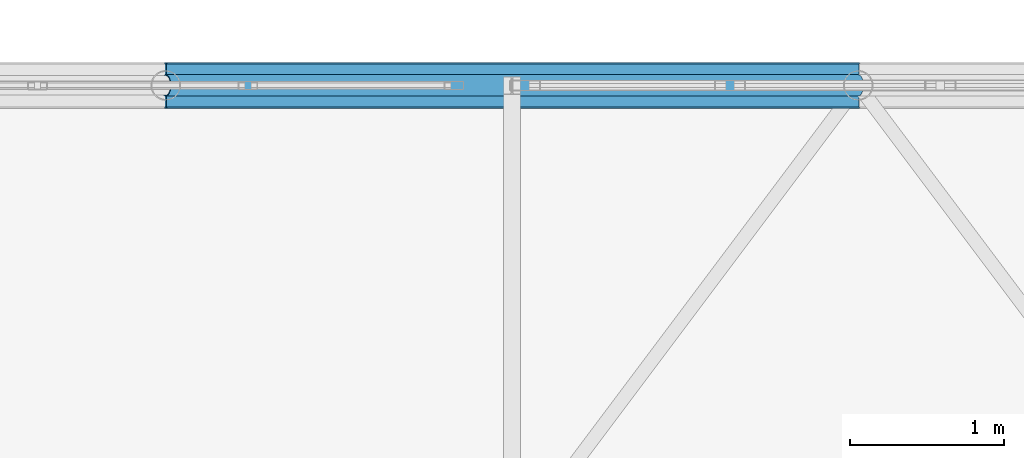
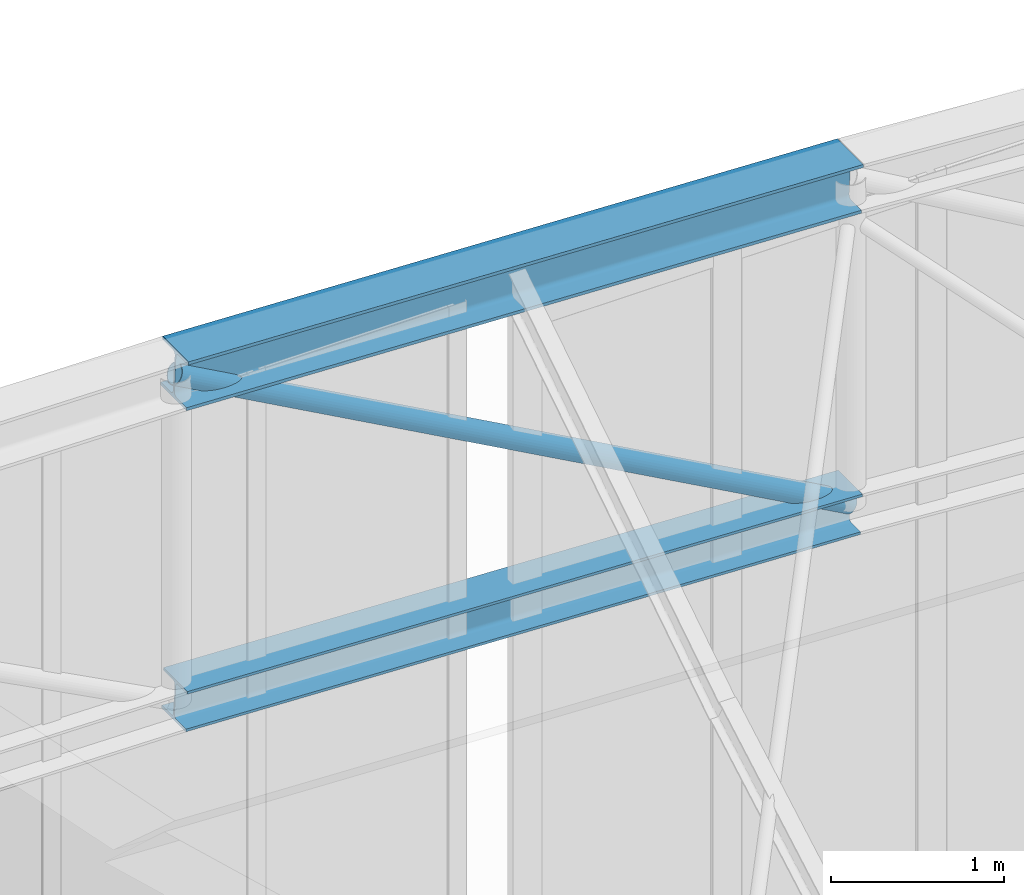
# One storey, part 197 of 262: 3 members.
"""IFC4 building model written with IfcOpenShell, lengths in metres."""

import ifcopenshell
import ifcopenshell.guid

model = None  # the IFC model being written
_history = None  # IfcOwnerHistory: only IFC2X3 demands one
_inside = {}  # id of a spatial element -> (the spatial element, [elements in it])
_under = {}  # id of a project, library or spatial element -> (it, [spatial elements below it])
_declared = {}  # id of a project -> (the project, [libraries it declares])
_typed = {}  # id of a type object -> (the type object, [elements of that type])
_made_of = {}  # id of a material, layer set ... -> (it, [elements and type objects made of it])


def new_model(schema):
    """Start an empty IFC model of exactly this schema.

    Asked for "IFC4X3", IfcOpenShell would pick the latest addendum, in which some entities
    have other attributes; the version numbers below select the first issue.
    IFC2X3 requires an IfcOwnerHistory on every rooted entity: one is made here for all.
    """
    global model, _history
    if schema == "IFC4X3":
        model = ifcopenshell.file(schema_version=(4, 3, 0, 0))
    else:
        model = ifcopenshell.file(schema=schema)
    _inside.clear()
    _under.clear()
    _declared.clear()
    _typed.clear()
    _made_of.clear()
    _history = None
    if model.schema == "IFC2X3":
        org = make("IfcOrganization", Name="unknown")
        user = make(
            "IfcPersonAndOrganization",
            ThePerson=make("IfcPerson", FamilyName="unknown"),
            TheOrganization=org,
        )
        app = make(
            "IfcApplication",
            ApplicationDeveloper=org,
            Version="unknown",
            ApplicationFullName="unknown",
            ApplicationIdentifier="unknown",
        )
        _history = make(
            "IfcOwnerHistory",
            OwningUser=user,
            OwningApplication=app,
            ChangeAction="ADDED",
            CreationDate=0,
        )
    return model


def make(cls, **values):
    """One entity of the class cls with the attributes given. An attribute that is None is left unset."""
    return model.create_entity(
        cls, **{name: value for name, value in values.items() if value is not None}
    )


def rooted(cls, **values):
    """An entity with a GlobalId (a new one), such as an element, a storey or a relation."""
    return make(cls, GlobalId=ifcopenshell.guid.new(), OwnerHistory=_history, **values)


def si_unit(unit_type, name, prefix=None):
    """IfcSIUnit, for example si_unit("LENGTHUNIT", "METRE", prefix="MILLI")."""
    return make("IfcSIUnit", UnitType=unit_type, Prefix=prefix, Name=name)


def derived_unit(unit_type, elements):
    """IfcDerivedUnit: a product of units, each with its exponent."""
    return make(
        "IfcDerivedUnit",
        Elements=[
            make("IfcDerivedUnitElement", Unit=unit, Exponent=power)
            for unit, power in elements
        ],
        UnitType=unit_type,
    )


def assignment(units):
    """IfcUnitAssignment: the units of a project."""
    return None if units is None else make("IfcUnitAssignment", Units=units)


def point(xyz):
    """IfcCartesianPoint."""
    return None if xyz is None else make("IfcCartesianPoint", Coordinates=xyz)


def direction(xyz):
    """IfcDirection."""
    return None if xyz is None else make("IfcDirection", DirectionRatios=xyz)


def frame(location, z_axis=None, x_axis=None):
    """IfcAxis2Placement3D, a coordinate frame: its origin and axes. An axis left out is left unset."""
    return make(
        "IfcAxis2Placement3D",
        Location=point(location),
        Axis=direction(z_axis),
        RefDirection=direction(x_axis),
    )


def frame_2d(location, x_axis=None):
    """IfcAxis2Placement2D, a coordinate frame in the plane: its origin and x axis."""
    return make(
        "IfcAxis2Placement2D", Location=point(location), RefDirection=direction(x_axis)
    )


def origin():
    """The frame at (0, 0, 0) with its axes left unset."""
    return frame((0.0, 0.0, 0.0))


def origin_2d():
    """The frame at (0, 0) in the plane with its x axis left unset."""
    return frame_2d((0.0, 0.0))


def place(relative_to, where):
    """IfcLocalPlacement: puts the frame where relative to a parent placement (None: the world)."""
    return make(
        "IfcLocalPlacement", PlacementRelTo=relative_to, RelativePlacement=where
    )


def context(
    kind, dimensions, precision=None, world=None, true_north=None, identifier=None
):
    """IfcGeometricRepresentationContext, for example the 3D "Model" context."""
    return make(
        "IfcGeometricRepresentationContext",
        ContextIdentifier=identifier,
        ContextType=kind,
        CoordinateSpaceDimension=dimensions,
        Precision=precision,
        WorldCoordinateSystem=world,
        TrueNorth=true_north,
    )


def subcontext(parent, identifier, kind, view, scale=None):
    """IfcGeometricRepresentationSubContext, for example "Body" below "Model"."""
    return make(
        "IfcGeometricRepresentationSubContext",
        ContextIdentifier=identifier,
        ContextType=kind,
        ParentContext=parent,
        TargetScale=scale,
        TargetView=view,
    )


def project(units=None, contexts=None):
    """IfcProject with its units and contexts."""
    return rooted(
        "IfcProject",
        Name="project",
        RepresentationContexts=contexts,
        UnitsInContext=assignment(units),
    )


def spatial(cls, under=None, at=None, **own):
    """A site, building, storey or space (cls), placed at a placement, below another one or the project."""
    s = rooted(cls, ObjectPlacement=at, **own)
    if under is not None:
        _under.setdefault(under.id(), (under, []))[1].append(s)
    return s


def profile(cls, at=None, kind="AREA", **sizes):
    """A parametric profile (cls). Its sizes go by their IFC names, for example OverallWidth=200.0."""
    return make(cls, ProfileType=kind, Position=at, **sizes)


def hollow_circle(**sizes):
    """IfcCircleHollowProfileDef."""
    return profile("IfcCircleHollowProfileDef", **sizes)


def i_section(**sizes):
    """IfcIShapeProfileDef."""
    return profile("IfcIShapeProfileDef", **sizes)


def extrude(swept, where, along, depth):
    """IfcExtrudedAreaSolid: the profile swept, set in the frame where, extruded along a direction by depth."""
    return make(
        "IfcExtrudedAreaSolid",
        SweptArea=swept,
        Position=where,
        ExtrudedDirection=direction(along),
        Depth=depth,
    )


def shape(context_of_items, identifier, shape_type, items):
    """IfcShapeRepresentation: the items that make up one representation, for example the "Body"."""
    return make(
        "IfcShapeRepresentation",
        ContextOfItems=context_of_items,
        RepresentationIdentifier=identifier,
        RepresentationType=shape_type,
        Items=items,
    )


def material(Name=None, Category=None):
    """IfcMaterial."""
    return make("IfcMaterial", Name=Name, Category=Category)


def material_profile(
    of_material, cross_section, Name=None, Category=None, Priority=None
):
    """IfcMaterialProfile: a cross section and its material."""
    return make(
        "IfcMaterialProfile",
        Name=Name,
        Material=of_material,
        Profile=cross_section,
        Priority=Priority,
        Category=Category,
    )


def profile_set(profiles, Name=None, composite=None):
    """IfcMaterialProfileSet."""
    return make(
        "IfcMaterialProfileSet",
        Name=Name,
        MaterialProfiles=profiles,
        CompositeProfile=composite,
    )


def made_of(thing, what):
    """Note that an element or type object is made of a material, layer set ...; save() writes the relation."""
    if what is not None:
        _made_of.setdefault(what.id(), (what, []))[1].append(thing)
    return thing


def type_object(cls, material=None, **own):
    """A type object (cls), such as IfcWallType, which elements share."""
    return made_of(rooted(cls, **own), material)


def element(
    cls,
    number,
    at=None,
    inside=None,
    cuts=None,
    type_object=None,
    material=None,
    context=None,
    identifier="Body",
    shape_type=None,
    held_by="IfcProductDefinitionShape",
    body=None,
    shapes=None,
    **own,
):
    """One element of the class cls, such as IfcWall. Its Tag is "e" and its number.

    at: its placement. inside: the storey or other place that contains it. cuts: it is an
    opening in that element (IfcRelVoidsElement). A single representation is given by context,
    identifier, shape_type and body (its items); several are given by shapes. held_by: the class
    of the entity that holds the representations. save() writes the other relations.
    """
    e = rooted(cls, Tag="e%d" % number, ObjectPlacement=at, **own)
    if body is not None:
        shapes = [shape(context, identifier, shape_type, body)]
    if shapes is not None:
        e.Representation = make(held_by, Representations=shapes)
    if inside is not None:
        _inside.setdefault(inside.id(), (inside, []))[1].append(e)
    if cuts is not None:
        rooted(
            "IfcRelVoidsElement", RelatingBuildingElement=cuts, RelatedOpeningElement=e
        )
    if type_object is not None:
        _typed.setdefault(type_object.id(), (type_object, []))[1].append(e)
    return made_of(e, material)


def aggregate(whole, parts):
    """IfcRelAggregates: a whole, such as a stair, and the parts it consists of."""
    return rooted("IfcRelAggregates", RelatingObject=whole, RelatedObjects=parts)


def save(model, path):
    """Write the relations noted so far, then the file.

    IfcRelAggregates (storeys below a building ...), IfcRelContainedInSpatialStructure (elements
    in a storey), IfcRelDefinesByType, IfcRelAssociatesMaterial and IfcRelDeclares: one each for
    every whole, place, type object, material and project.
    """
    for whole, parts in _under.values():
        aggregate(whole, parts)
    for where, things in _inside.values():
        rooted(
            "IfcRelContainedInSpatialStructure",
            RelatedElements=things,
            RelatingStructure=where,
        )
    for kind, things in _typed.values():
        rooted("IfcRelDefinesByType", RelatedObjects=things, RelatingType=kind)
    for what, things in _made_of.values():
        rooted("IfcRelAssociatesMaterial", RelatedObjects=things, RelatingMaterial=what)
    for by, libraries in _declared.values():
        rooted("IfcRelDeclares", RelatingContext=by, RelatedDefinitions=libraries)
    model.write(path)


model = new_model("IFC4")

# Units and contexts
model_context = context("Model", 3, precision=1e-05, world=origin(), true_north=direction((0.0, 1.0)))
body_context = subcontext(model_context, "Body", "Model", "MODEL_VIEW")
ifc_project = project(units=[si_unit("LENGTHUNIT", "METRE"), si_unit("AREAUNIT", "SQUARE_METRE"), si_unit("VOLUMEUNIT", "CUBIC_METRE"), si_unit("PLANEANGLEUNIT", "RADIAN"), si_unit("MASSUNIT", "GRAM", prefix="KILO"), derived_unit("THERMALTRANSMITTANCEUNIT", [(si_unit("POWERUNIT", "WATT"), 1), (si_unit("LENGTHUNIT", "METRE"), -2), (si_unit("THERMODYNAMICTEMPERATUREUNIT", "KELVIN"), -1)])], contexts=[model_context])

# Site, building, storey
site_placement = place(None, origin())
site = spatial("IfcSite", under=ifc_project, at=site_placement, CompositionType="ELEMENT")
building_placement = place(site_placement, origin())
building = spatial("IfcBuilding", under=site, at=building_placement, Name="Almenara Railside Exhibition Hall", CompositionType="ELEMENT")
storey_placement = place(building_placement, frame((0.0, 0.0, 21.699951171875)))
storey = spatial("IfcBuildingStorey", under=building, at=storey_placement, Name="RF", CompositionType="ELEMENT", Elevation=21.699951171875)

# Members
ifc_material = material(Name="Structural steel S355JR", Category="steel")
ifc_material_profile_1 = material_profile(ifc_material, i_section(OverallWidth=0.280029296875, OverallDepth=0.280029296875, WebThickness=0.010498046875, FlangeThickness=0.01806640625, FilletRadius=0.02392578125, at=origin_2d()), Name="HEB 280")
ifc_profile_set_1 = profile_set([ifc_material_profile_1], Name="Structural steel S355JR")
member_type_1 = type_object("IfcMemberType", Name="Arched Gable Bottom Chord HEB 280 S355JR", PredefinedType="CHORD", material=ifc_profile_set_1)
member_1_placement = place(storey_placement, frame((43.5, 132.0, 8.739013671875), z_axis=(0.99917098071, 0.0, -0.04071057978), x_axis=(0.0, 1.0, 0.0)))
element("IfcMember", 1, at=member_1_placement, inside=storey, type_object=member_type_1, Name="MEM-BC-V1-07-07", PredefinedType="CHORD", context=body_context, shape_type="SweptSolid", body=[
    extrude(i_section(OverallWidth=0.280029296875, OverallDepth=0.280029296875, WebThickness=0.010498046875, FlangeThickness=0.01806640625, FilletRadius=0.02392578125, at=origin_2d()), origin(), (0.0, 0.0, 1.0), 4.503662109375),
])
ifc_material_profile_2 = material_profile(ifc_material, i_section(OverallWidth=0.300048828125, OverallDepth=0.340087890625, WebThickness=0.011962890625, FlangeThickness=0.021484375, FilletRadius=0.027099609375, at=origin_2d()), Name="HEB 340")
ifc_profile_set_2 = profile_set([ifc_material_profile_2], Name="Structural steel S355JR")
member_type_2 = type_object("IfcMemberType", Name="Arched Gable Top Chord HEB 340 S355JR", PredefinedType="CHORD", material=ifc_profile_set_2)
member_2_placement = place(storey_placement, frame((43.5, 132.0, 11.038818359375), z_axis=(0.999173184279, 0.0, -0.040656460949), x_axis=(0.0, 1.0, 0.0)))
element("IfcMember", 2, at=member_2_placement, inside=storey, type_object=member_type_2, Name="MEM-TC-V1-07-07", PredefinedType="CHORD", context=body_context, shape_type="SweptSolid", body=[
    extrude(i_section(OverallWidth=0.300048828125, OverallDepth=0.340087890625, WebThickness=0.011962890625, FlangeThickness=0.021484375, FilletRadius=0.027099609375, at=origin_2d()), origin(), (0.0, 0.0, 1.0), 4.503662109375),
])
ifc_material_profile_3 = material_profile(ifc_material, hollow_circle(Radius=0.06982421875, WallThickness=0.0048828125, at=origin_2d()), Name="CHS 139.7x5")
ifc_profile_set_3 = profile_set([ifc_material_profile_3], Name="Structural steel S355JR")
member_type_3 = type_object("IfcMemberType", Name="Truss Inner Diagonal CHS 139.7x5 S355JR", PredefinedType="BRACE", material=ifc_profile_set_3)
member_3_placement = place(storey_placement, frame((43.5, 132.0, 11.038818359375), z_axis=(0.875545119572, 0.0, -0.483136361283), x_axis=(0.0, 1.0, 0.0)))
element("IfcMember", 3, at=member_3_placement, inside=storey, type_object=member_type_3, Name="MEM-TD-V1-07-07", PredefinedType="BRACE", context=body_context, shape_type="SweptSolid", body=[
    extrude(hollow_circle(Radius=0.06982421875, WallThickness=0.0048828125, at=origin_2d()), origin(), (0.0, 0.0, 1.0), 5.1396484375),
])

save(model, "model.ifc")
